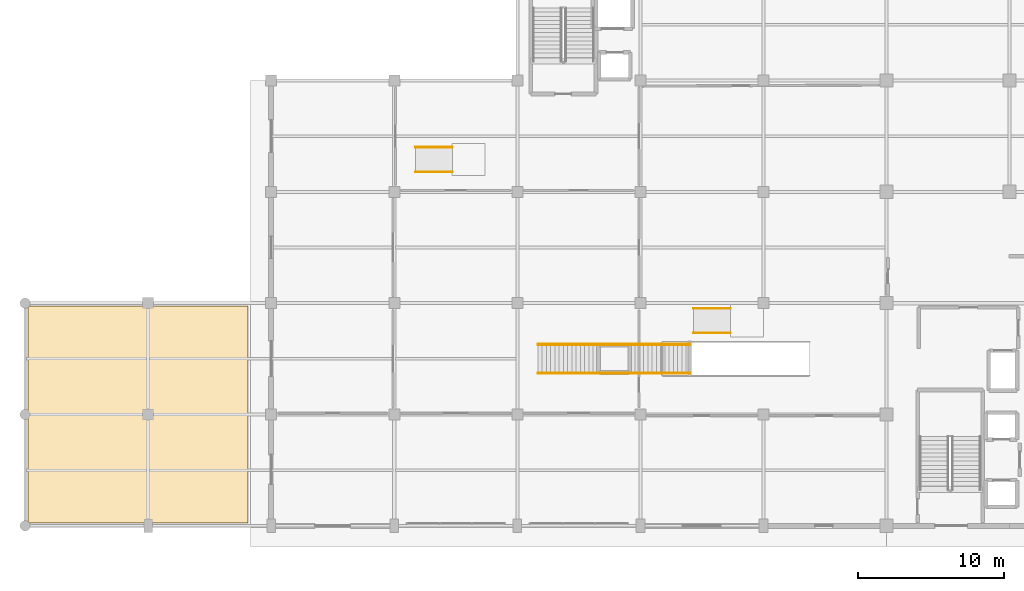
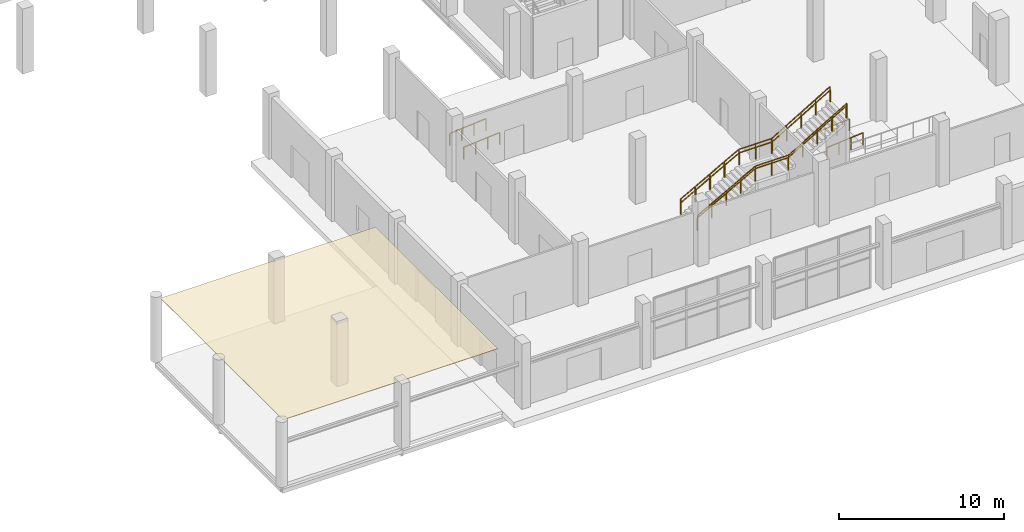
# One storey, part 26 of 36: 8 railings, 1 covering.
"""IFC4 building model written with IfcOpenShell, lengths in metres."""

from ifc_helpers import new_model, si_unit, direction, frame, origin, origin_2d, place, context, subcontext, project, spatial, polyline, circle, outline, extrude, material, layer, layer_set, type_object, element, save


model = new_model("IFC4")

# Units and contexts
model_context = context("Model", 3, precision=1e-05, world=origin(), true_north=direction((0.0, 1.0)))
body_context = subcontext(model_context, "Body", "Model", "MODEL_VIEW")
ifc_project = project(units=[si_unit("LENGTHUNIT", "METRE"), si_unit("AREAUNIT", "SQUARE_METRE"), si_unit("VOLUMEUNIT", "CUBIC_METRE"), si_unit("PLANEANGLEUNIT", "RADIAN"), si_unit("MASSUNIT", "GRAM", prefix="KILO")], contexts=[model_context])

# Site, building, storey
site_placement = place(None, origin())
site = spatial("IfcSite", under=ifc_project, at=site_placement, CompositionType="ELEMENT")
building_placement = place(site_placement, origin())
building = spatial("IfcBuilding", under=site, at=building_placement, Name="Zuvorla Pavilion Media Centre", CompositionType="ELEMENT")
storey_placement = place(building_placement, origin())
storey = spatial("IfcBuildingStorey", under=building, at=storey_placement, Name="L00", CompositionType="ELEMENT", Elevation=0.0)

# Covering
ifc_material_1 = material(Name="Odum Iroko hardwood timber acoustic slats", Category="wood")
ifc_layer = layer(ifc_material_1, 0.0400390625)
ifc_layer_set = layer_set([ifc_layer], Name="Odum Iroko hardwood timber acoustic slats")
covering_type = type_object("IfcCoveringType", Name="COV-SOFFIT-ODUM", PredefinedType="CEILING", material=ifc_layer_set)
covering_placement = place(storey_placement, frame((0.0, 0.0, 4.52001953125)))
element("IfcCovering", 1, at=covering_placement, inside=storey, type_object=covering_type, Name="L00 Odum timber soffit SOF-COLW", PredefinedType="CEILING", context=body_context, shape_type="SweptSolid", body=[
    extrude(outline(polyline([(8.199951171875, 6.199951171875), (23.199951171875, 6.199951171875), (23.199951171875, 21.0), (8.199951171875, 21.0), (8.199951171875, 6.199951171875)])), origin(), (0.0, 0.0, 1.0), 0.0400390625),
])

# Railings
ifc_material_2 = material(Name="Powder-coated steel balustrade guard", Category="steel")
railing_type_1 = type_object("IfcRailingType", Name="RL-INT-GRD", PredefinedType="BALUSTRADE", material=ifc_material_2)
railing_1_placement = place(storey_placement, frame((43.0, 16.389892578125, 0.159912109375)))
element("IfcRailing", 2, at=railing_1_placement, inside=storey, type_object=railing_type_1, Name="ST-07 side guard S", PredefinedType="BALUSTRADE", context=body_context, shape_type="SweptSolid", body=[
    extrude(circle(Radius=0.02392578125, at=origin_2d()), frame((0.025146484375, 0.0, 1.110107421875), z_axis=(0.875581523614, 0.0, 0.483070383594), x_axis=(0.0, 1.0, 0.0)), (0.0, 0.0, 1.0), 4.579345703125),
    extrude(circle(Radius=0.02392578125, at=origin_2d()), frame((4.0888671875, 0.0, 3.3359375), z_axis=(1.0, 0.0, 0.0), x_axis=(0.0, 1.0, 0.0)), (0.0, 0.0, 1.0), 2.242431640625),
    extrude(circle(Radius=0.02392578125, at=origin_2d()), frame((6.385009765625, 0.0, 3.350830078125), z_axis=(0.860818299379, 0.0, 0.50891242415), x_axis=(0.0, 1.0, 0.0)), (0.0, 0.0, 1.0), 4.658447265625),
    extrude(circle(Radius=0.02099609375, at=origin_2d()), origin(), (0.0, 0.0, 1.0), 1.070068359375),
    extrude(circle(Radius=0.02099609375, at=origin_2d()), frame((1.01513671875, 0.0, 0.56005859375)), (0.0, 0.0, 1.0), 1.070068359375),
    extrude(circle(Radius=0.02099609375, at=origin_2d()), frame((2.030029296875, 0.0, 1.1201171875)), (0.0, 0.0, 1.0), 1.070068359375),
    extrude(circle(Radius=0.02099609375, at=origin_2d()), frame((3.044921875, 0.0, 1.679931640625)), (0.0, 0.0, 1.0), 1.070068359375),
    extrude(circle(Radius=0.02099609375, at=origin_2d()), frame((4.06005859375, 0.0, 2.239990234375)), (0.0, 0.0, 1.0), 1.070068359375),
    extrude(circle(Radius=0.02099609375, at=origin_2d()), frame((5.2099609375, 0.0, 2.239990234375)), (0.0, 0.0, 1.0), 1.070068359375),
    extrude(circle(Radius=0.02099609375, at=origin_2d()), frame((6.360107421875, 0.0, 2.239990234375)), (0.0, 0.0, 1.0), 1.070068359375),
    extrude(circle(Radius=0.02099609375, at=origin_2d()), frame((7.375, 0.0, 2.840087890625)), (0.0, 0.0, 1.0), 1.070068359375),
    extrude(circle(Radius=0.02099609375, at=origin_2d()), frame((8.39013671875, 0.0, 3.43994140625)), (0.0, 0.0, 1.0), 1.070068359375),
    extrude(circle(Radius=0.02099609375, at=origin_2d()), frame((9.405029296875, 0.0, 4.0400390625)), (0.0, 0.0, 1.0), 1.070068359375),
    extrude(circle(Radius=0.02099609375, at=origin_2d()), frame((10.419921875, 0.0, 4.64013671875)), (0.0, 0.0, 1.0), 1.070068359375),
])
railing_2_placement = place(storey_placement, frame((43.0, 18.409912109375, 0.159912109375)))
element("IfcRailing", 3, at=railing_2_placement, inside=storey, type_object=railing_type_1, Name="ST-07 side guard N", PredefinedType="BALUSTRADE", context=body_context, shape_type="SweptSolid", body=[
    extrude(circle(Radius=0.02392578125, at=origin_2d()), frame((0.025146484375, 0.0, 1.110107421875), z_axis=(0.875581523614, 0.0, 0.483070383594), x_axis=(0.0, 1.0, 0.0)), (0.0, 0.0, 1.0), 4.579345703125),
    extrude(circle(Radius=0.02392578125, at=origin_2d()), frame((4.0888671875, 0.0, 3.3359375), z_axis=(1.0, 0.0, 0.0), x_axis=(0.0, 1.0, 0.0)), (0.0, 0.0, 1.0), 2.242431640625),
    extrude(circle(Radius=0.02392578125, at=origin_2d()), frame((6.385009765625, 0.0, 3.350830078125), z_axis=(0.860818299379, 0.0, 0.50891242415), x_axis=(0.0, 1.0, 0.0)), (0.0, 0.0, 1.0), 4.658447265625),
    extrude(circle(Radius=0.02099609375, at=origin_2d()), origin(), (0.0, 0.0, 1.0), 1.070068359375),
    extrude(circle(Radius=0.02099609375, at=origin_2d()), frame((1.01513671875, 0.0, 0.56005859375)), (0.0, 0.0, 1.0), 1.070068359375),
    extrude(circle(Radius=0.02099609375, at=origin_2d()), frame((2.030029296875, 0.0, 1.1201171875)), (0.0, 0.0, 1.0), 1.070068359375),
    extrude(circle(Radius=0.02099609375, at=origin_2d()), frame((3.044921875, 0.0, 1.679931640625)), (0.0, 0.0, 1.0), 1.070068359375),
    extrude(circle(Radius=0.02099609375, at=origin_2d()), frame((4.06005859375, 0.0, 2.239990234375)), (0.0, 0.0, 1.0), 1.070068359375),
    extrude(circle(Radius=0.02099609375, at=origin_2d()), frame((5.2099609375, 0.0, 2.239990234375)), (0.0, 0.0, 1.0), 1.070068359375),
    extrude(circle(Radius=0.02099609375, at=origin_2d()), frame((6.360107421875, 0.0, 2.239990234375)), (0.0, 0.0, 1.0), 1.070068359375),
    extrude(circle(Radius=0.02099609375, at=origin_2d()), frame((7.375, 0.0, 2.840087890625)), (0.0, 0.0, 1.0), 1.070068359375),
    extrude(circle(Radius=0.02099609375, at=origin_2d()), frame((8.39013671875, 0.0, 3.43994140625)), (0.0, 0.0, 1.0), 1.070068359375),
    extrude(circle(Radius=0.02099609375, at=origin_2d()), frame((9.405029296875, 0.0, 4.0400390625)), (0.0, 0.0, 1.0), 1.070068359375),
    extrude(circle(Radius=0.02099609375, at=origin_2d()), frame((10.419921875, 0.0, 4.64013671875)), (0.0, 0.0, 1.0), 1.070068359375),
])
ifc_material_3 = material(Name="Brushed stainless steel tubular handrail", Category="steel")
railing_type_2 = type_object("IfcRailingType", Name="RL-INT-HND", PredefinedType="HANDRAIL", material=ifc_material_3)
railing_3_placement = place(storey_placement, frame((43.0, 16.43994140625, 0.159912109375)))
element("IfcRailing", 4, at=railing_3_placement, inside=storey, type_object=railing_type_2, Name="ST-07 handrail S", PredefinedType="HANDRAIL", context=body_context, shape_type="SweptSolid", body=[
    extrude(circle(Radius=0.02392578125, at=origin_2d()), frame((0.025146484375, 0.0, 0.889892578125), z_axis=(0.875581523614, 0.0, 0.483070383594), x_axis=(0.0, 1.0, 0.0)), (0.0, 0.0, 1.0), 4.579345703125),
    extrude(circle(Radius=0.02392578125, at=origin_2d()), frame((4.0888671875, 0.0, 3.11572265625), z_axis=(1.0, 0.0, 0.0), x_axis=(0.0, 1.0, 0.0)), (0.0, 0.0, 1.0), 2.242431640625),
    extrude(circle(Radius=0.02392578125, at=origin_2d()), frame((6.385009765625, 0.0, 3.130615234375), z_axis=(0.860818299379, 0.0, 0.50891242415), x_axis=(0.0, 1.0, 0.0)), (0.0, 0.0, 1.0), 4.658447265625),
    extrude(circle(Radius=0.02099609375, at=origin_2d()), origin(), (0.0, 0.0, 1.0), 0.849853515625),
    extrude(circle(Radius=0.02099609375, at=origin_2d()), frame((1.01513671875, 0.0, 0.56005859375)), (0.0, 0.0, 1.0), 0.849853515625),
    extrude(circle(Radius=0.02099609375, at=origin_2d()), frame((2.030029296875, 0.0, 1.1201171875)), (0.0, 0.0, 1.0), 0.849853515625),
    extrude(circle(Radius=0.02099609375, at=origin_2d()), frame((3.044921875, 0.0, 1.679931640625)), (0.0, 0.0, 1.0), 0.849853515625),
    extrude(circle(Radius=0.02099609375, at=origin_2d()), frame((4.06005859375, 0.0, 2.239990234375)), (0.0, 0.0, 1.0), 0.849853515625),
    extrude(circle(Radius=0.02099609375, at=origin_2d()), frame((5.2099609375, 0.0, 2.239990234375)), (0.0, 0.0, 1.0), 0.849853515625),
    extrude(circle(Radius=0.02099609375, at=origin_2d()), frame((6.360107421875, 0.0, 2.239990234375)), (0.0, 0.0, 1.0), 0.849853515625),
    extrude(circle(Radius=0.02099609375, at=origin_2d()), frame((7.375, 0.0, 2.840087890625)), (0.0, 0.0, 1.0), 0.849853515625),
    extrude(circle(Radius=0.02099609375, at=origin_2d()), frame((8.39013671875, 0.0, 3.43994140625)), (0.0, 0.0, 1.0), 0.849853515625),
    extrude(circle(Radius=0.02099609375, at=origin_2d()), frame((9.405029296875, 0.0, 4.0400390625)), (0.0, 0.0, 1.0), 0.849853515625),
    extrude(circle(Radius=0.02099609375, at=origin_2d()), frame((10.419921875, 0.0, 4.64013671875)), (0.0, 0.0, 1.0), 0.849853515625),
])
railing_4_placement = place(storey_placement, frame((43.0, 18.360107421875, 0.159912109375)))
element("IfcRailing", 5, at=railing_4_placement, inside=storey, type_object=railing_type_2, Name="ST-07 handrail N", PredefinedType="HANDRAIL", context=body_context, shape_type="SweptSolid", body=[
    extrude(circle(Radius=0.02392578125, at=origin_2d()), frame((0.025146484375, 0.0, 0.889892578125), z_axis=(0.875581523614, 0.0, 0.483070383594), x_axis=(0.0, 1.0, 0.0)), (0.0, 0.0, 1.0), 4.579345703125),
    extrude(circle(Radius=0.02392578125, at=origin_2d()), frame((4.0888671875, 0.0, 3.11572265625), z_axis=(1.0, 0.0, 0.0), x_axis=(0.0, 1.0, 0.0)), (0.0, 0.0, 1.0), 2.242431640625),
    extrude(circle(Radius=0.02392578125, at=origin_2d()), frame((6.385009765625, 0.0, 3.130615234375), z_axis=(0.860818299379, 0.0, 0.50891242415), x_axis=(0.0, 1.0, 0.0)), (0.0, 0.0, 1.0), 4.658447265625),
    extrude(circle(Radius=0.02099609375, at=origin_2d()), origin(), (0.0, 0.0, 1.0), 0.849853515625),
    extrude(circle(Radius=0.02099609375, at=origin_2d()), frame((1.01513671875, 0.0, 0.56005859375)), (0.0, 0.0, 1.0), 0.849853515625),
    extrude(circle(Radius=0.02099609375, at=origin_2d()), frame((2.030029296875, 0.0, 1.1201171875)), (0.0, 0.0, 1.0), 0.849853515625),
    extrude(circle(Radius=0.02099609375, at=origin_2d()), frame((3.044921875, 0.0, 1.679931640625)), (0.0, 0.0, 1.0), 0.849853515625),
    extrude(circle(Radius=0.02099609375, at=origin_2d()), frame((4.06005859375, 0.0, 2.239990234375)), (0.0, 0.0, 1.0), 0.849853515625),
    extrude(circle(Radius=0.02099609375, at=origin_2d()), frame((5.2099609375, 0.0, 2.239990234375)), (0.0, 0.0, 1.0), 0.849853515625),
    extrude(circle(Radius=0.02099609375, at=origin_2d()), frame((6.360107421875, 0.0, 2.239990234375)), (0.0, 0.0, 1.0), 0.849853515625),
    extrude(circle(Radius=0.02099609375, at=origin_2d()), frame((7.375, 0.0, 2.840087890625)), (0.0, 0.0, 1.0), 0.849853515625),
    extrude(circle(Radius=0.02099609375, at=origin_2d()), frame((8.39013671875, 0.0, 3.43994140625)), (0.0, 0.0, 1.0), 0.849853515625),
    extrude(circle(Radius=0.02099609375, at=origin_2d()), frame((9.405029296875, 0.0, 4.0400390625)), (0.0, 0.0, 1.0), 0.849853515625),
    extrude(circle(Radius=0.02099609375, at=origin_2d()), frame((10.419921875, 0.0, 4.64013671875)), (0.0, 0.0, 1.0), 0.849853515625),
])
for number, where, name in (
    (6, (34.639892578125, 30.159912109375, 0.0), "Accessible ramp handrail RMP-ACC-01 S"),
    (7, (34.639892578125, 31.840087890625, 0.0), "Accessible ramp handrail RMP-ACC-01 N"),
    (8, (53.639892578125, 19.159912109375, 0.0), "Accessible ramp handrail RMP-ACC-02 S"),
    (9, (53.639892578125, 20.840087890625, 0.0), "Accessible ramp handrail RMP-ACC-02 N"),
):
    element("IfcRailing", number, at=place(storey_placement, frame(where)), inside=storey, type_object=railing_type_2, Name=name, PredefinedType="HANDRAIL", context=body_context, shape_type="SweptSolid", body=[
        extrude(circle(Radius=0.02392578125, at=origin_2d()), frame((0.02880859375, 0.0, 0.878173828125), z_axis=(0.996547089785, 0.0, 0.083029499827), x_axis=(0.0, 1.0, 0.0)), (0.0, 0.0, 1.0), 2.470947265625),
        extrude(circle(Radius=0.02099609375, at=origin_2d()), origin(), (0.0, 0.0, 1.0), 0.849853515625),
        extrude(circle(Radius=0.02099609375, at=origin_2d()), frame((0.840087890625, 0.0, 0.070068359375)), (0.0, 0.0, 1.0), 0.849853515625),
        extrude(circle(Radius=0.02099609375, at=origin_2d()), frame((1.679931640625, 0.0, 0.139892578125)), (0.0, 0.0, 1.0), 0.849853515625),
        extrude(circle(Radius=0.02099609375, at=origin_2d()), frame((2.52001953125, 0.0, 0.2099609375)), (0.0, 0.0, 1.0), 0.849853515625),
    ])

save(model, "model.ifc")
